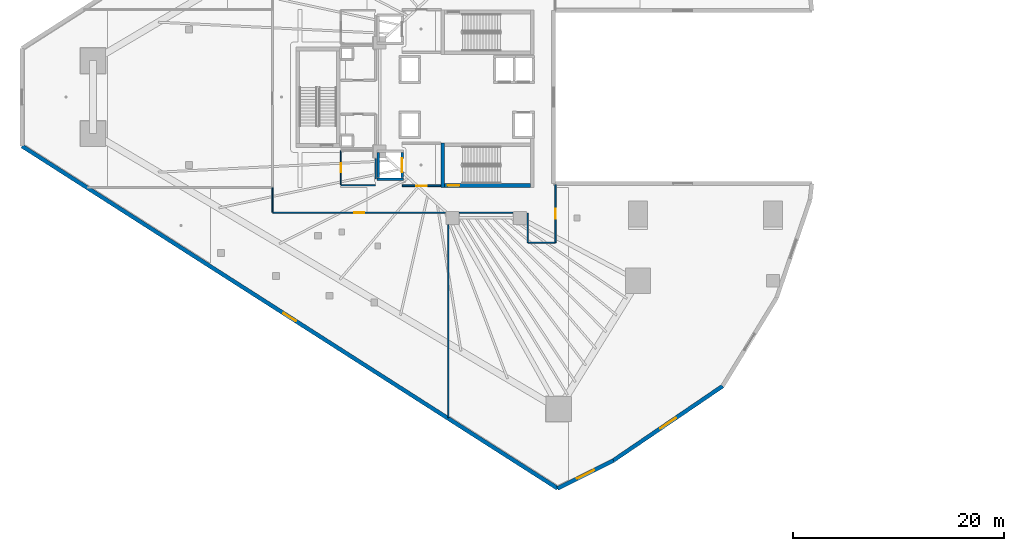
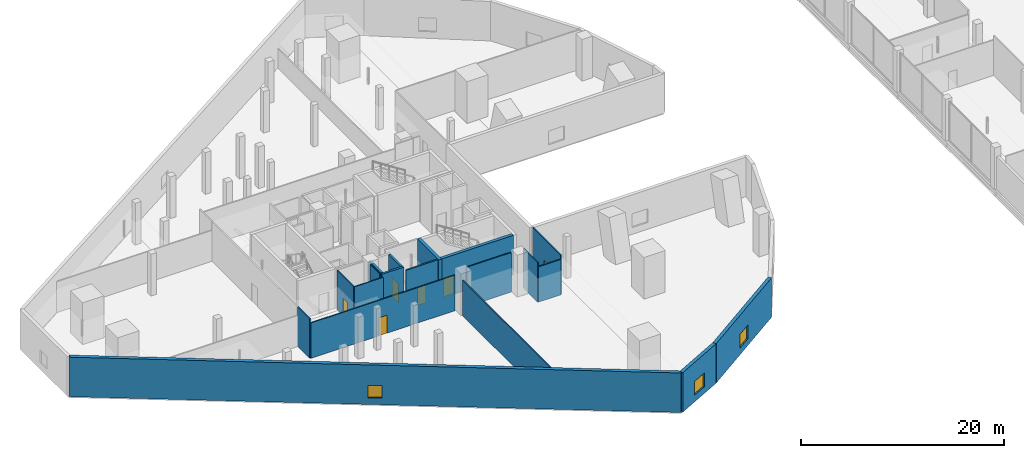
# One storey, part 26 of 47: 19 walls, 6 doors, 3 windows, 9 openings.
"""IFC4 building model written with IfcOpenShell, lengths in metres."""

from ifc_helpers import new_model, si_unit, direction, frame, frame_2d, origin, place, context, subcontext, project, spatial, rectangle, extrude, material, layer, layer_set, type_object, element, fill, save


model = new_model("IFC4")

# Units and contexts
model_context = context("Model", 3, precision=1e-05, world=origin(), true_north=direction((0.0, 1.0)))
body_context = subcontext(model_context, "Body", "Model", "MODEL_VIEW")
ifc_project = project(units=[si_unit("LENGTHUNIT", "METRE"), si_unit("AREAUNIT", "SQUARE_METRE"), si_unit("VOLUMEUNIT", "CUBIC_METRE"), si_unit("PLANEANGLEUNIT", "RADIAN"), si_unit("MASSUNIT", "GRAM", prefix="KILO")], contexts=[model_context])

# Site, building, storey
site_placement = place(None, origin())
site = spatial("IfcSite", under=ifc_project, at=site_placement, CompositionType="ELEMENT")
building_placement = place(site_placement, origin())
building = spatial("IfcBuilding", under=site, at=building_placement, Name="Qorvath Tower", CompositionType="ELEMENT")
storey_placement = place(building_placement, frame((0.0, 0.0, 12.0)))
storey = spatial("IfcBuildingStorey", under=building, at=storey_placement, Name="L02", CompositionType="ELEMENT", Elevation=12.0)

# Wall, opening, door
ifc_material_1 = material(Name="Gypsum shaftliner on steel studs", Category="steel")
ifc_layer_1 = layer(ifc_material_1, 0.179931640625)
ifc_layer_set_1 = layer_set([ifc_layer_1], Name="FW-LOBBY")
wall_type_1 = type_object("IfcWallType", Name="FW-LOBBY", PredefinedType="PARTITIONING", material=ifc_layer_set_1)
wall_1_placement = place(storey_placement, frame((-28.35498046875, -8.39990234375, 0.0), z_axis=(0.0, 0.0, 1.0), x_axis=(1.0, 0.0, 0.0)))
wall_1 = element("IfcWall", 1, at=wall_1_placement, inside=storey, type_object=wall_type_1, Name="Interior Partition IW-T1-L02-003", PredefinedType="PARTITIONING", context=body_context, shape_type="SweptSolid", body=[
    extrude(rectangle(XDim=3.6220703125, YDim=0.179931640625, at=frame_2d((1.81103515625, 0.0))), origin(), (0.0, 0.0, 1.0), 4.739990234375),
])
opening_1_placement = place(wall_1_placement, frame((1.31103515625, 0.0, 0.0)))
opening_1 = element("IfcOpeningElement", 2, at=opening_1_placement, cuts=wall_1, Name="Opening D-T1-L02-12", PredefinedType="OPENING", context=body_context, shape_type="SweptSolid", body=[
    extrude(rectangle(XDim=1.0, YDim=2.14990234375, at=frame_2d((0.5, 1.074951171875))), frame((0.0, 0.10009765625, 0.0), z_axis=(0.0, -1.0, 0.0), x_axis=(1.0, 0.0, 0.0)), (0.0, 0.0, 1.0), 0.199951171875),
])
ifc_material_2 = material(Name="Painted galvanised hollow metal", Category="steel")
door_type_1 = type_object("IfcDoorType", Name="FD-60", OperationType="NOTDEFINED", PredefinedType="DOOR", material=ifc_material_2)
door_1_placement = place(opening_1_placement, origin())
door_1 = element("IfcDoor", 3, at=door_1_placement, inside=storey, type_object=door_type_1, Name="Lobby Fire Service Elevator South Door D-T1-L02-12", OperationType="SINGLE_SWING_RIGHT", OverallHeight=2.14990234375, OverallWidth=1.0, PredefinedType="DOOR", context=body_context, shape_type="SweptSolid", body=[
    extrude(rectangle(XDim=1.0, YDim=2.14990234375, at=frame_2d((0.5, 1.074951171875))), frame((0.0, 0.02490234375, 0.0), z_axis=(0.0, -1.0, 0.0), x_axis=(1.0, 0.0, 0.0)), (0.0, 0.0, 1.0), 0.050048828125),
])
fill(opening_1, door_1)

ifc_material_3 = material(Name="Gypsum board on metal studs with mineral wool", Category="gypsum")
ifc_layer_2 = layer(ifc_material_3, 0.125)
ifc_layer_set_2 = layer_set([ifc_layer_2], Name="IW-PART-125")
wall_type_2 = type_object("IfcWallType", Name="IW-PART-125", PredefinedType="PARTITIONING", material=ifc_layer_set_2)
wall_2_placement = place(storey_placement, frame((-13.842041015625, -8.280029296875, 0.0), z_axis=(0.0, 0.0, 1.0), x_axis=(0.0, -1.0, 0.0)))
wall_2 = element("IfcWall", 4, at=wall_2_placement, inside=storey, type_object=wall_type_2, Name="Interior Partition IW-T1-L02-028", PredefinedType="PARTITIONING", context=body_context, shape_type="SweptSolid", body=[
    extrude(rectangle(XDim=5.503173828125, YDim=0.125, at=frame_2d((2.75146484375, 0.0))), origin(), (0.0, 0.0, 1.0), 4.739990234375),
])
opening_2_placement = place(wall_2_placement, frame((2.276611328125, 0.0, 0.0)))
opening_2 = element("IfcOpeningElement", 5, at=opening_2_placement, cuts=wall_2, Name="Opening D-T1-L02-08", PredefinedType="OPENING", context=body_context, shape_type="SweptSolid", body=[
    extrude(rectangle(XDim=0.949951171875, YDim=2.14990234375, at=frame_2d((0.47509765625, 1.074951171875))), frame((0.0, 0.072509765625, 0.0), z_axis=(0.0, -1.0, 0.0), x_axis=(1.0, 0.0, 0.0)), (0.0, 0.0, 1.0), 0.14501953125),
])
ifc_material_4 = material(Name="Solid-core American white oak veneer", Category="wood")
door_type_2 = type_object("IfcDoorType", Name="D-01", OperationType="NOTDEFINED", PredefinedType="DOOR", material=ifc_material_4)
door_2_placement = place(opening_2_placement, origin())
door_2 = element("IfcDoor", 6, at=door_2_placement, inside=storey, type_object=door_type_2, Name="L02-04 Project Collaboration Workspace Door D-T1-L02-08", OperationType="SINGLE_SWING_RIGHT", OverallHeight=2.14990234375, OverallWidth=0.949951171875, PredefinedType="DOOR", context=body_context, shape_type="SweptSolid", body=[
    extrude(rectangle(XDim=0.949951171875, YDim=2.14990234375, at=frame_2d((0.47509765625, 1.074951171875))), frame((0.0, 0.02490234375, 0.0), z_axis=(0.0, -1.0, 0.0), x_axis=(1.0, 0.0, 0.0)), (0.0, 0.0, 1.0), 0.050048828125),
])
fill(opening_2, door_2)

# Walls
wall_3_placement = place(storey_placement, frame((-13.866943359375, -13.80810546875, 0.0), z_axis=(0.0, 0.0, 1.0), x_axis=(-1.0, 0.0, 0.0)))
element("IfcWall", 7, at=wall_3_placement, inside=storey, type_object=wall_type_2, Name="Interior Partition IW-T1-L02-029", PredefinedType="PARTITIONING", context=body_context, shape_type="SweptSolid", body=[
    extrude(rectangle(XDim=2.566162109375, YDim=0.125, at=frame_2d((1.283203125, 0.0))), origin(), (0.0, 0.0, 1.0), 4.2529296875),
])
wall_4_placement = place(storey_placement, frame((-16.4580078125, -10.98291015625, 0.0), z_axis=(0.0, 0.0, 1.0), x_axis=(0.0, -1.0, 0.0)))
element("IfcWall", 8, at=wall_4_placement, inside=storey, type_object=wall_type_2, Name="Interior Partition IW-T1-L02-030", PredefinedType="PARTITIONING", context=body_context, shape_type="SweptSolid", body=[
    extrude(rectangle(XDim=2.80029296875, YDim=0.125, at=frame_2d((1.400146484375, 0.0))), origin(), (0.0, 0.0, 1.0), 4.739990234375),
])
wall_5_placement = place(storey_placement, frame((-17.864990234375, -10.9580078125, 0.0), z_axis=(0.0, 0.0, 1.0), x_axis=(-1.0, 0.0, 0.0)))
element("IfcWall", 9, at=wall_5_placement, inside=storey, type_object=wall_type_2, Name="Interior Partition IW-T1-L02-031", PredefinedType="PARTITIONING", context=body_context, shape_type="SweptSolid", body=[
    extrude(rectangle(XDim=5.070068359375, YDim=0.125, at=frame_2d((2.53515625, 0.0))), origin(), (0.0, 0.0, 1.0), 4.739990234375),
])
wall_6_placement = place(storey_placement, frame((-24.0, -12.114990234375, 0.0), z_axis=(0.0, 0.0, 1.0), x_axis=(0.0, -1.0, 0.0)))
element("IfcWall", 10, at=wall_6_placement, inside=storey, type_object=wall_type_2, Name="Interior Partition IW-T1-L02-032", PredefinedType="PARTITIONING", context=body_context, shape_type="SweptSolid", body=[
    extrude(rectangle(XDim=18.27490234375, YDim=0.125, at=frame_2d((9.137451171875, 0.0))), origin(), (0.0, 0.0, 1.0), 4.2529296875),
])

# Wall, opening, door
wall_7_placement = place(storey_placement, frame((-24.264892578125, -10.9580078125, 0.0), z_axis=(0.0, 0.0, 1.0), x_axis=(-1.0, 0.0, 0.0)))
wall_7 = element("IfcWall", 11, at=wall_7_placement, inside=storey, type_object=wall_type_2, Name="Interior Partition IW-T1-L02-033", PredefinedType="PARTITIONING", context=body_context, shape_type="SweptSolid", body=[
    extrude(rectangle(XDim=16.3681640625, YDim=0.125, at=frame_2d((8.18408203125, 0.0))), origin(), (0.0, 0.0, 1.0), 4.2529296875),
])
opening_3_placement = place(wall_7_placement, frame((7.708984375, 0.0, 0.0)))
opening_3 = element("IfcOpeningElement", 12, at=opening_3_placement, cuts=wall_7, Name="Opening D-T1-L02-09", PredefinedType="OPENING", context=body_context, shape_type="SweptSolid", body=[
    extrude(rectangle(XDim=0.949951171875, YDim=2.14990234375, at=frame_2d((0.47509765625, 1.074951171875))), frame((0.0, 0.072509765625, 0.0), z_axis=(0.0, -1.0, 0.0), x_axis=(1.0, 0.0, 0.0)), (0.0, 0.0, 1.0), 0.14501953125),
])
door_3_placement = place(opening_3_placement, origin())
door_3 = element("IfcDoor", 13, at=door_3_placement, inside=storey, type_object=door_type_2, Name="L02-05 Quantitative Research Studio Door D-T1-L02-09", OperationType="SINGLE_SWING_LEFT", OverallHeight=2.14990234375, OverallWidth=0.949951171875, PredefinedType="DOOR", context=body_context, shape_type="SweptSolid", body=[
    extrude(rectangle(XDim=0.949951171875, YDim=2.14990234375, at=frame_2d((0.47509765625, 1.074951171875))), frame((0.0, 0.02490234375, 0.0), z_axis=(0.0, -1.0, 0.0), x_axis=(1.0, 0.0, 0.0)), (0.0, 0.0, 1.0), 0.050048828125),
])
fill(opening_3, door_3)

# Walls
wall_8_placement = place(storey_placement, frame((-40.657958984375, -8.574951171875, 0.0), z_axis=(0.0, 0.0, 1.0), x_axis=(0.0, -1.0, 0.0)))
element("IfcWall", 14, at=wall_8_placement, inside=storey, type_object=wall_type_2, Name="Interior Partition IW-T1-L02-034", PredefinedType="PARTITIONING", context=body_context, shape_type="SweptSolid", body=[
    extrude(rectangle(XDim=2.358154296875, YDim=0.125, at=frame_2d((1.17919921875, 0.0))), origin(), (0.0, 0.0, 1.0), 4.739990234375),
])
ifc_material_5 = material(Name="Moisture-resistant cement board on metal studs", Category="gypsum")
ifc_layer_3 = layer(ifc_material_5, 0.110107421875)
ifc_layer_set_3 = layer_set([ifc_layer_3], Name="IW-WC-110")
wall_type_3 = type_object("IfcWallType", Name="IW-WC-110", PredefinedType="PARTITIONING", material=ifc_layer_set_3)
wall_9_placement = place(storey_placement, frame((-34.15478515625, -8.35009765625, 0.0), z_axis=(0.0, 0.0, 1.0), x_axis=(1.0, 0.0, 0.0)))
element("IfcWall", 15, at=wall_9_placement, inside=storey, type_object=wall_type_3, Name="Interior Partition IW-T1-L02-009", PredefinedType="PARTITIONING", context=body_context, shape_type="SweptSolid", body=[
    extrude(rectangle(XDim=3.25, YDim=0.110107421875, at=frame_2d((1.625, 0.0))), origin(), (0.0, 0.0, 1.0), 4.739990234375),
])
wall_10_placement = place(storey_placement, frame((-30.8798828125, -7.742919921875, 0.0), z_axis=(0.0, 0.0, 1.0), x_axis=(0.0, 1.0, 0.0)))
element("IfcWall", 16, at=wall_10_placement, inside=storey, type_object=wall_type_3, Name="Interior Partition IW-T1-L02-010", PredefinedType="PARTITIONING", context=body_context, shape_type="SweptSolid", body=[
    extrude(rectangle(XDim=1.927978515625, YDim=0.110107421875, at=frame_2d((0.9638671875, 0.0))), origin(), (0.0, 0.0, 1.0), 4.739990234375),
])

# Wall, opening, door
wall_11_placement = place(storey_placement, frame((-34.179931640625, -5.074951171875, 0.0), z_axis=(0.0, 0.0, 1.0), x_axis=(0.0, -1.0, 0.0)))
wall_11 = element("IfcWall", 17, at=wall_11_placement, inside=storey, type_object=wall_type_3, Name="Interior Partition IW-T1-L02-012", PredefinedType="PARTITIONING", context=body_context, shape_type="SweptSolid", body=[
    extrude(rectangle(XDim=3.250244140625, YDim=0.110107421875, at=frame_2d((1.625, 0.0))), origin(), (0.0, 0.0, 1.0), 4.739990234375),
])
opening_4_placement = place(wall_11_placement, frame((1.18505859375, 0.0, 0.0)))
opening_4 = element("IfcOpeningElement", 18, at=opening_4_placement, cuts=wall_11, Name="Opening D-T1-L02-02", PredefinedType="OPENING", context=body_context, shape_type="SweptSolid", body=[
    extrude(rectangle(XDim=0.8798828125, YDim=2.10009765625, at=frame_2d((0.43994140625, 1.050048828125))), frame((0.0, 0.06494140625, 0.0), z_axis=(0.0, -1.0, 0.0), x_axis=(1.0, 0.0, 0.0)), (0.0, 0.0, 1.0), 0.130126953125),
])
ifc_material_6 = material(Name="Solid-core oak with acoustic drop seal", Category="wood")
door_type_3 = type_object("IfcDoorType", Name="D-02", OperationType="NOTDEFINED", PredefinedType="DOOR", material=ifc_material_6)
door_4_placement = place(opening_4_placement, origin())
door_4 = element("IfcDoor", 19, at=door_4_placement, inside=storey, type_object=door_type_3, Name="Accessible WC South L02 Door D-T1-L02-02", OperationType="SINGLE_SWING_RIGHT", OverallHeight=2.10009765625, OverallWidth=0.8798828125, PredefinedType="DOOR", context=body_context, shape_type="SweptSolid", body=[
    extrude(rectangle(XDim=0.8798828125, YDim=2.10009765625, at=frame_2d((0.43994140625, 1.050048828125))), frame((0.0, 0.02490234375, 0.0), z_axis=(0.0, -1.0, 0.0), x_axis=(1.0, 0.0, 0.0)), (0.0, 0.0, 1.0), 0.050048828125),
])
fill(opening_4, door_4)

# Walls
ifc_material_7 = material(Name="Concrete C60/75", Category="concrete")
ifc_layer_4 = layer(ifc_material_7, 0.260009765625)
ifc_layer_set_4 = layer_set([ifc_layer_4], Name="SW-SHAFT")
wall_type_4 = type_object("IfcWallType", Name="SW-SHAFT", PredefinedType="SHEAR", material=ifc_layer_set_4)
wall_12_placement = place(storey_placement, frame((-28.260009765625, -7.77001953125, 0.0), z_axis=(0.0, 0.0, 1.0), x_axis=(-1.0, 0.0, 0.0)))
element("IfcWall", 20, at=wall_12_placement, inside=storey, type_object=wall_type_4, Name="Hoistway Wall FSAE-2 L02 S", PredefinedType="SHEAR", context=body_context, shape_type="SweptSolid", body=[
    extrude(rectangle(XDim=2.47998046875, YDim=0.239990234375, at=frame_2d((1.239990234375, 0.0))), origin(), (0.0, 0.0, 1.0), 4.739990234375),
])
wall_13_placement = place(storey_placement, frame((-30.6201171875, -7.637939453125, 0.0), z_axis=(0.0, 0.0, 1.0), x_axis=(0.0, 1.0, 0.0)))
element("IfcWall", 21, at=wall_13_placement, inside=storey, type_object=wall_type_4, Name="Hoistway Wall FSAE-2 L02 W", PredefinedType="SHEAR", context=body_context, shape_type="SweptSolid", body=[
    extrude(rectangle(XDim=2.3759765625, YDim=0.239990234375, at=frame_2d((1.18798828125, 0.0))), origin(), (0.0, 0.0, 1.0), 4.739990234375),
])

# Wall, opening, door
wall_14_placement = place(storey_placement, frame((-28.3798828125, -5.261962890625, 0.0), z_axis=(0.0, 0.0, 1.0), x_axis=(0.0, -1.0, 0.0)))
wall_14 = element("IfcWall", 22, at=wall_14_placement, inside=storey, type_object=wall_type_4, Name="Hoistway Wall FSAE-2 L02 E", PredefinedType="SHEAR", context=body_context, shape_type="SweptSolid", body=[
    extrude(rectangle(XDim=2.3759765625, YDim=0.239990234375, at=frame_2d((1.18798828125, 0.0))), origin(), (0.0, 0.0, 1.0), 4.739990234375),
])
opening_5_placement = place(wall_14_placement, frame((0.5380859375, 0.0, 0.0)))
opening_5 = element("IfcOpeningElement", 23, at=opening_5_placement, cuts=wall_14, Name="Opening LD-FSAE-2-L02", PredefinedType="OPENING", context=body_context, shape_type="SweptSolid", body=[
    extrude(rectangle(XDim=1.300048828125, YDim=2.300048828125, at=frame_2d((0.64990234375, 1.14990234375))), frame((0.0, 0.1298828125, 0.0), z_axis=(0.0, -1.0, 0.0), x_axis=(1.0, 0.0, 0.0)), (0.0, 0.0, 1.0), 0.260009765625),
])
ifc_material_8 = material(Name="Brushed stainless steel AISI 316", Category="steel")
door_type_4 = type_object("IfcDoorType", Name="LD-02", OperationType="NOTDEFINED", PredefinedType="DOOR", material=ifc_material_8)
door_5_placement = place(opening_5_placement, origin())
door_5 = element("IfcDoor", 24, at=door_5_placement, inside=storey, type_object=door_type_4, Name="Elevator Landing Sliding Door LD-FSAE-2-L02", OperationType="DOUBLE_DOOR_SLIDING", OverallHeight=2.300048828125, OverallWidth=1.300048828125, PredefinedType="DOOR", context=body_context, shape_type="SweptSolid", body=[
    extrude(rectangle(XDim=1.300048828125, YDim=2.300048828125, at=frame_2d((0.64990234375, 1.14990234375))), frame((0.0, 0.02490234375, 0.0), z_axis=(0.0, -1.0, 0.0), x_axis=(1.0, 0.0, 0.0)), (0.0, 0.0, 1.0), 0.050048828125),
])
fill(opening_5, door_5)

# Wall
ifc_material_9 = material(Name="Concrete C60/75", Category="concrete")
ifc_layer_5 = layer(ifc_material_9, 0.35009765625)
ifc_layer_set_5 = layer_set([ifc_layer_5], Name="SW-STAIR")
wall_type_5 = type_object("IfcWallType", Name="SW-STAIR", PredefinedType="SHEAR", material=ifc_layer_set_5)
wall_15_placement = place(storey_placement, frame((-24.52490234375, -4.340087890625, 0.0), z_axis=(0.0, 0.0, 1.0), x_axis=(0.0, -1.0, 0.0)))
element("IfcWall", 25, at=wall_15_placement, inside=storey, type_object=wall_type_5, Name="Stair TS2 Shear Wall L02 NEAR", PredefinedType="SHEAR", context=body_context, shape_type="SweptSolid", body=[
    extrude(rectangle(XDim=4.2099609375, YDim=0.35009765625, at=frame_2d((2.10498046875, 0.0))), origin(), (0.0, 0.0, 1.0), 4.739990234375),
])

# Wall, opening, door
wall_16_placement = place(storey_placement, frame((-24.3349609375, -8.375, 0.0), z_axis=(0.0, 0.0, 1.0), x_axis=(1.0, 0.0, 0.0)))
wall_16 = element("IfcWall", 26, at=wall_16_placement, inside=storey, type_object=wall_type_5, Name="Stair TS2 Shear Wall L02 LEFT", PredefinedType="SHEAR", context=body_context, shape_type="SweptSolid", body=[
    extrude(rectangle(XDim=8.119873046875, YDim=0.35009765625, at=frame_2d((4.06005859375, 0.0))), origin(), (0.0, 0.0, 1.0), 4.739990234375),
])
opening_6_placement = place(wall_16_placement, frame((0.280029296875, 0.0, 0.0)))
opening_6 = element("IfcOpeningElement", 27, at=opening_6_placement, cuts=wall_16, Name="Opening D-TS2-L02", PredefinedType="OPENING", context=body_context, shape_type="SweptSolid", body=[
    extrude(rectangle(XDim=1.10009765625, YDim=2.199951171875, at=frame_2d((0.550048828125, 1.10009765625))), frame((0.0, 0.18505859375, 0.0), z_axis=(0.0, -1.0, 0.0), x_axis=(1.0, 0.0, 0.0)), (0.0, 0.0, 1.0), 0.3701171875),
])
ifc_material_10 = material(Name="Painted galvanised hollow metal", Category="steel")
door_type_5 = type_object("IfcDoorType", Name="FD-90", OperationType="NOTDEFINED", PredefinedType="DOOR", material=ifc_material_10)
door_6_placement = place(opening_6_placement, origin())
door_6 = element("IfcDoor", 28, at=door_6_placement, inside=storey, type_object=door_type_5, Name="Stair TS2 Fire Door L02", OperationType="SINGLE_SWING_LEFT", OverallHeight=2.199951171875, OverallWidth=1.10009765625, PredefinedType="DOOR", context=body_context, shape_type="SweptSolid", body=[
    extrude(rectangle(XDim=1.10009765625, YDim=2.199951171875, at=frame_2d((0.550048828125, 1.10009765625))), frame((0.0, 0.02490234375, 0.0), z_axis=(0.0, -1.0, 0.0), x_axis=(1.0, 0.0, 0.0)), (0.0, 0.0, 1.0), 0.050048828125),
])
fill(opening_6, door_6)

# Wall, opening, window
ifc_material_11 = material(Name="Precast concrete C50/60", Category="concrete")
ifc_layer_6 = layer(ifc_material_11, 0.3798828125)
ifc_layer_set_6 = layer_set([ifc_layer_6], Name="WL-EW-POD-380")
wall_type_6 = type_object("IfcWallType", Name="WL-EW-POD-380", PredefinedType="SOLIDWALL", material=ifc_layer_set_6)
wall_17_placement = place(storey_placement, frame((-13.63525390625, -37.094482421875, 0.0), z_axis=(0.0, 0.0, 1.0), x_axis=(-0.842602364841, 0.538536214905, 0.0)))
wall_17 = element("IfcWall", 29, at=wall_17_placement, inside=storey, type_object=wall_type_6, Name="Tower Podium Precast Facade Wall L02-11.1", PredefinedType="SOLIDWALL", context=body_context, shape_type="SweptSolid", body=[
    extrude(rectangle(XDim=60.270263671875, YDim=0.3798828125, at=frame_2d((30.13525390625, 0.0))), origin(), (0.0, 0.0, 1.0), 4.739990234375),
])
opening_7_placement = place(wall_17_placement, frame((29.43505859375, 0.0, 0.800048828125)))
opening_7 = element("IfcOpeningElement", 30, at=opening_7_placement, cuts=wall_17, Name="Opening WN-L02-024", PredefinedType="OPENING", context=body_context, shape_type="SweptSolid", body=[
    extrude(rectangle(XDim=1.39990234375, YDim=1.5, at=frame_2d((0.699951171875, 0.75))), frame((0.0, 0.199951171875, 0.0), z_axis=(0.0, -1.0, 0.0), x_axis=(1.0, 0.0, 0.0)), (0.0, 0.0, 1.0), 0.39990234375),
])
ifc_material_12 = material(Name="Thermally broken aluminium and triple low-E glass", Category="aluminium")
window_type_1 = type_object("IfcWindowType", Name="WN-3", PartitioningType="SINGLE_PANEL", PredefinedType="WINDOW", material=ifc_material_12)
window_1_placement = place(opening_7_placement, origin())
window_1 = element("IfcWindow", 31, at=window_1_placement, inside=storey, type_object=window_type_1, Name="Podium Punched Window L02-024", OverallHeight=1.5, OverallWidth=1.39990234375, PartitioningType="SINGLE_PANEL", PredefinedType="WINDOW", context=body_context, shape_type="SweptSolid", body=[
    extrude(rectangle(XDim=1.39990234375, YDim=1.5, at=frame_2d((0.699951171875, 0.75))), frame((0.0, 0.030029296875, 0.0), z_axis=(0.0, -1.0, 0.0), x_axis=(1.0, 0.0, 0.0)), (0.0, 0.0, 1.0), 0.06005859375),
])
fill(opening_7, window_1)

wall_18_placement = place(storey_placement, frame((-8.3359375, -34.44482421875, 0.0), z_axis=(0.0, 0.0, 1.0), x_axis=(-0.894427191, -0.4472135955, 0.0)))
wall_18 = element("IfcWall", 32, at=wall_18_placement, inside=storey, type_object=wall_type_6, Name="Tower Podium Precast Facade Wall L02-12.1", PredefinedType="SOLIDWALL", context=body_context, shape_type="SweptSolid", body=[
    extrude(rectangle(XDim=5.9248046875, YDim=0.3798828125, at=frame_2d((2.96240234375, 0.0))), origin(), (0.0, 0.0, 1.0), 4.739990234375),
])
opening_8_placement = place(wall_18_placement, frame((2.0625, 0.0, 0.800048828125)))
opening_8 = element("IfcOpeningElement", 33, at=opening_8_placement, cuts=wall_18, Name="Opening WN-L02-025", PredefinedType="OPENING", context=body_context, shape_type="SweptSolid", body=[
    extrude(rectangle(XDim=1.800048828125, YDim=1.64990234375, at=frame_2d((0.89990234375, 0.824951171875))), frame((0.0, 0.199951171875, 0.0), z_axis=(0.0, -1.0, 0.0), x_axis=(1.0, 0.0, 0.0)), (0.0, 0.0, 1.0), 0.39990234375),
])
ifc_material_13 = material(Name="Thermally broken aluminium and triple low-E glass", Category="aluminium")
window_type_2 = type_object("IfcWindowType", Name="WN-1", PartitioningType="SINGLE_PANEL", PredefinedType="WINDOW", material=ifc_material_13)
window_2_placement = place(opening_8_placement, origin())
window_2 = element("IfcWindow", 34, at=window_2_placement, inside=storey, type_object=window_type_2, Name="Podium Punched Window L02-025", OverallHeight=1.64990234375, OverallWidth=1.800048828125, PartitioningType="SINGLE_PANEL", PredefinedType="WINDOW", context=body_context, shape_type="SweptSolid", body=[
    extrude(rectangle(XDim=1.800048828125, YDim=1.64990234375, at=frame_2d((0.89990234375, 0.824951171875))), frame((0.0, 0.030029296875, 0.0), z_axis=(0.0, -1.0, 0.0), x_axis=(1.0, 0.0, 0.0)), (0.0, 0.0, 1.0), 0.06005859375),
])
fill(opening_8, window_2)

wall_19_placement = place(storey_placement, frame((2.0205078125, -27.39501953125, 0.0), z_axis=(0.0, 0.0, 1.0), x_axis=(-0.826650936963, -0.562715050819, 0.0)))
wall_19 = element("IfcWall", 35, at=wall_19_placement, inside=storey, type_object=wall_type_6, Name="Tower Podium Precast Facade Wall L02-13.1", PredefinedType="SOLIDWALL", context=body_context, shape_type="SweptSolid", body=[
    extrude(rectangle(XDim=12.528076171875, YDim=0.3798828125, at=frame_2d((6.26416015625, 0.0))), origin(), (0.0, 0.0, 1.0), 4.739990234375),
])
opening_9_placement = place(wall_19_placement, frame((5.364013671875, 0.0, 0.800048828125)))
opening_9 = element("IfcOpeningElement", 36, at=opening_9_placement, cuts=wall_19, Name="Opening WN-L02-026", PredefinedType="OPENING", context=body_context, shape_type="SweptSolid", body=[
    extrude(rectangle(XDim=1.800048828125, YDim=1.64990234375, at=frame_2d((0.89990234375, 0.824951171875))), frame((0.0, 0.199951171875, 0.0), z_axis=(0.0, -1.0, 0.0), x_axis=(1.0, 0.0, 0.0)), (0.0, 0.0, 1.0), 0.39990234375),
])
window_3_placement = place(opening_9_placement, origin())
window_3 = element("IfcWindow", 37, at=window_3_placement, inside=storey, type_object=window_type_2, Name="Podium Punched Window L02-026", OverallHeight=1.64990234375, OverallWidth=1.800048828125, PartitioningType="SINGLE_PANEL", PredefinedType="WINDOW", context=body_context, shape_type="SweptSolid", body=[
    extrude(rectangle(XDim=1.800048828125, YDim=1.64990234375, at=frame_2d((0.89990234375, 0.824951171875))), frame((0.0, 0.030029296875, 0.0), z_axis=(0.0, -1.0, 0.0), x_axis=(1.0, 0.0, 0.0)), (0.0, 0.0, 1.0), 0.06005859375),
])
fill(opening_9, window_3)

save(model, "model.ifc")
